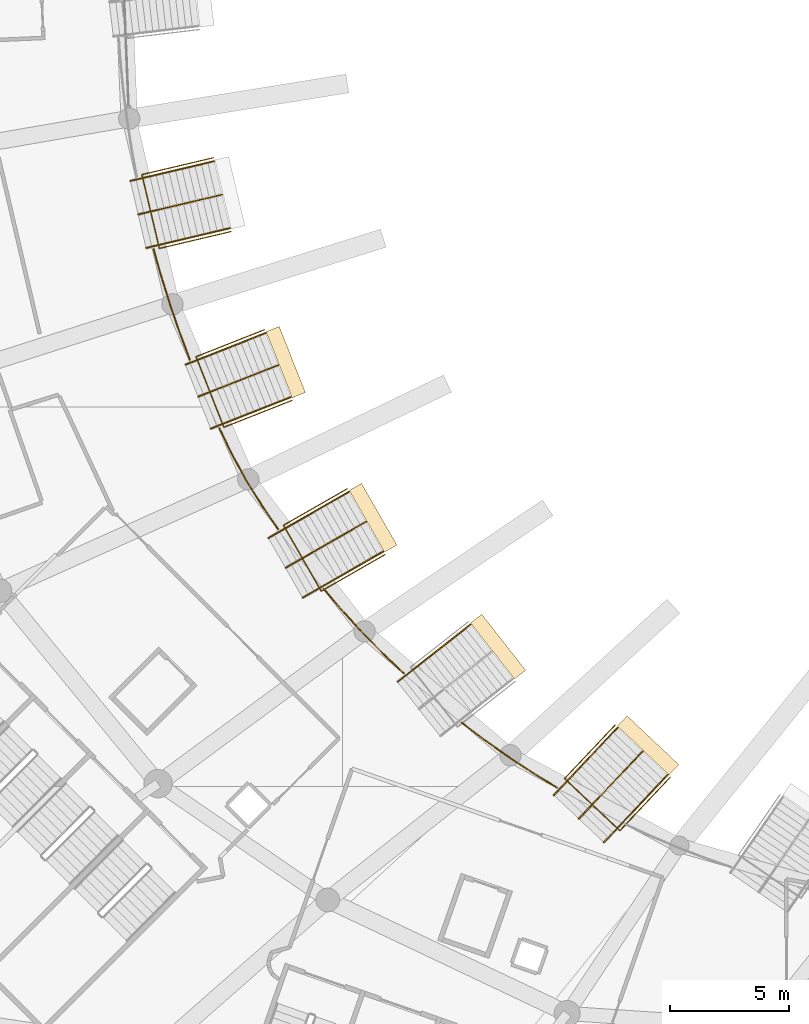
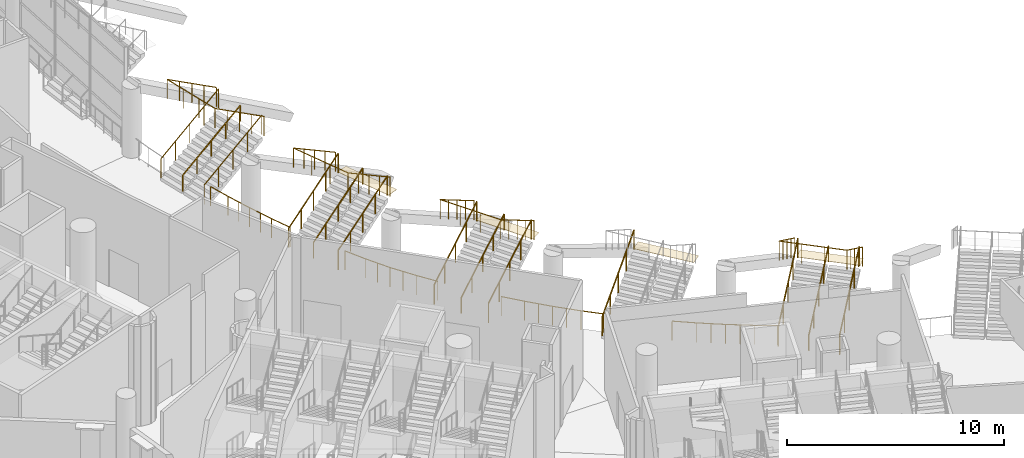
# One storey, part 114 of 173: 21 railings, 4 coverings.
"""IFC4 building model written with IfcOpenShell, lengths in metres."""

from ifc_helpers import new_model, si_unit, direction, frame, origin, origin_2d, place, context, subcontext, project, spatial, rectangle, circle, extrude, material, layer, layer_set, type_object, element, save


model = new_model("IFC4")

# Units and contexts
model_context = context("Model", 3, precision=1e-05, world=origin(), true_north=direction((0.0, 1.0)))
body_context = subcontext(model_context, "Body", "Model", "MODEL_VIEW")
ifc_project = project(units=[si_unit("LENGTHUNIT", "METRE"), si_unit("AREAUNIT", "SQUARE_METRE"), si_unit("VOLUMEUNIT", "CUBIC_METRE"), si_unit("PLANEANGLEUNIT", "RADIAN"), si_unit("MASSUNIT", "GRAM", prefix="KILO")], contexts=[model_context])

# Site, building, storey
site_placement = place(None, origin())
site = spatial("IfcSite", under=ifc_project, at=site_placement, CompositionType="ELEMENT")
building_placement = place(site_placement, origin())
building = spatial("IfcBuilding", under=site, at=building_placement, Name="Meseta Stadium", CompositionType="ELEMENT")
storey_placement = place(building_placement, frame((0.0, 0.0, 18.0)))
storey = spatial("IfcBuildingStorey", under=building, at=storey_placement, Name="L03", CompositionType="ELEMENT", Elevation=18.0)

# Railings
ifc_material_1 = material(Name="Steel S355", Category="steel")
railing_type_1 = type_object("IfcRailingType", Name="Plate edge guard 1100", PredefinedType="GUARDRAIL", material=ifc_material_1)
railing_1_placement = place(storey_placement, frame((-71.967041015625, -57.3486328125, 0.0)))
element("IfcRailing", 1, at=railing_1_placement, inside=storey, type_object=railing_type_1, Name="L03 inner edge guard 39", PredefinedType="GUARDRAIL", context=body_context, shape_type="SweptSolid", body=[
    extrude(circle(Radius=0.02490234375, at=origin_2d()), frame((0.0, 0.0, 1.0751953125), z_axis=(0.269727135959, -0.9629367955, 0.0), x_axis=(0.9629367955, 0.269727135959, 0.0)), (0.0, 0.0, 1.0), 1.117919921875),
    extrude(circle(Radius=0.02490234375, at=origin_2d()), frame((0.301513671875, -1.076416015625, 1.0751953125), z_axis=(0.298140588416, -0.954521969123, 0.0), x_axis=(0.954521969123, 0.298140588416, 0.0)), (0.0, 0.0, 1.0), 1.344482421875),
    extrude(circle(Radius=0.02490234375, at=origin_2d()), frame((0.702392578125, -2.35986328125, 1.0751953125), z_axis=(0.326287243455, -0.945270667459, 0.0), x_axis=(0.945270667459, 0.326287243455, 0.0)), (0.0, 0.0, 1.0), 1.344482421875),
    extrude(circle(Radius=0.02490234375, at=origin_2d()), frame((1.14111328125, -3.630859375, 1.0751953125), z_axis=(0.353866131531, -0.935296081974, 0.0), x_axis=(0.935296081974, 0.353866131531, 0.0)), (0.0, 0.0, 1.0), 1.111572265625),
    extrude(circle(Radius=0.02001953125, at=origin_2d()), origin(), (0.0, 0.0, 1.0), 1.050048828125),
    extrude(circle(Radius=0.02001953125, at=origin_2d()), frame((0.301513671875, -1.076416015625, 0.0)), (0.0, 0.0, 1.0), 1.050048828125),
    extrude(circle(Radius=0.02001953125, at=origin_2d()), frame((0.501953125, -1.71826171875, 0.0)), (0.0, 0.0, 1.0), 1.050048828125),
    extrude(circle(Radius=0.02001953125, at=origin_2d()), frame((0.702392578125, -2.35986328125, 0.0)), (0.0, 0.0, 1.0), 1.050048828125),
    extrude(circle(Radius=0.02001953125, at=origin_2d()), frame((0.921875, -2.995361328125, 0.0)), (0.0, 0.0, 1.0), 1.050048828125),
    extrude(circle(Radius=0.02001953125, at=origin_2d()), frame((1.14111328125, -3.630859375, 0.0)), (0.0, 0.0, 1.0), 1.050048828125),
    extrude(circle(Radius=0.02001953125, at=origin_2d()), frame((1.534423828125, -4.67041015625, 0.0)), (0.0, 0.0, 1.0), 1.050048828125),
])
railing_2_placement = place(storey_placement, frame((-69.19140625, -64.905029296875, 0.0)))
element("IfcRailing", 2, at=railing_2_placement, inside=storey, type_object=railing_type_1, Name="L03 inner edge guard 40", PredefinedType="GUARDRAIL", context=body_context, shape_type="SweptSolid", body=[
    extrude(circle(Radius=0.02490234375, at=origin_2d()), frame((0.0, 0.0, 1.0751953125), z_axis=(0.435753199463, -0.900066191542, 0.0), x_axis=(0.900066191542, 0.435753199463, 0.0)), (0.0, 0.0, 1.0), 1.12841796875),
    extrude(circle(Radius=0.02490234375, at=origin_2d()), frame((0.49169921875, -1.015625, 1.0751953125), z_axis=(0.474854769411, -0.880064172642, 0.0), x_axis=(0.880064172642, 0.474854769411, 0.0)), (0.0, 0.0, 1.0), 1.349609375),
    extrude(circle(Radius=0.02490234375, at=origin_2d()), frame((1.132568359375, -2.203369140625, 1.0751953125), z_axis=(0.534386629264, -0.845240161412, 0.0), x_axis=(0.845240161412, 0.534386629264, 0.0)), (0.0, 0.0, 1.0), 1.353271484375),
    extrude(circle(Radius=0.02490234375, at=origin_2d()), frame((1.855712890625, -3.34716796875, 1.0751953125), z_axis=(0.564349465999, -0.825535995718, 0.0), x_axis=(0.825535995718, 0.564349465999, 0.0)), (0.0, 0.0, 1.0), 1.099365234375),
    extrude(circle(Radius=0.02001953125, at=origin_2d()), origin(), (0.0, 0.0, 1.0), 1.050048828125),
    extrude(circle(Radius=0.02001953125, at=origin_2d()), frame((0.49169921875, -1.015625, 0.0)), (0.0, 0.0, 1.0), 1.050048828125),
    extrude(circle(Radius=0.02001953125, at=origin_2d()), frame((0.81201171875, -1.609375, 0.0)), (0.0, 0.0, 1.0), 1.050048828125),
    extrude(circle(Radius=0.02001953125, at=origin_2d()), frame((1.132568359375, -2.203369140625, 0.0)), (0.0, 0.0, 1.0), 1.050048828125),
    extrude(circle(Radius=0.02001953125, at=origin_2d()), frame((1.494140625, -2.775390625, 0.0)), (0.0, 0.0, 1.0), 1.050048828125),
    extrude(circle(Radius=0.02001953125, at=origin_2d()), frame((1.855712890625, -3.34716796875, 0.0)), (0.0, 0.0, 1.0), 1.050048828125),
    extrude(circle(Radius=0.02001953125, at=origin_2d()), frame((2.47607421875, -4.254638671875, 0.0)), (0.0, 0.0, 1.0), 1.050048828125),
])
railing_3_placement = place(storey_placement, frame((-64.79248046875, -71.677001953125, 0.0)))
element("IfcRailing", 3, at=railing_3_placement, inside=storey, type_object=railing_type_1, Name="L03 inner edge guard 41", PredefinedType="GUARDRAIL", context=body_context, shape_type="SweptSolid", body=[
    extrude(circle(Radius=0.02490234375, at=origin_2d()), frame((0.0, 0.0, 1.0751953125), z_axis=(0.649110992878, -0.760693709009, 0.0), x_axis=(0.760693709009, 0.649110992878, 0.0)), (0.0, 0.0, 1.0), 1.1376953125),
    extrude(circle(Radius=0.02490234375, at=origin_2d()), frame((0.738525390625, -0.865478515625, 1.0751953125), z_axis=(0.675732807899, -0.737146642351, 0.0), x_axis=(0.737146642351, 0.675732807899, 0.0)), (0.0, 0.0, 1.0), 1.3515625),
    extrude(circle(Radius=0.02490234375, at=origin_2d()), frame((1.65185546875, -1.86181640625, 1.0751953125), z_axis=(0.70166634323, -0.71250567912, 0.0), x_axis=(0.71250567912, 0.70166634323, 0.0)), (0.0, 0.0, 1.0), 1.351318359375),
    extrude(circle(Radius=0.02490234375, at=origin_2d()), frame((2.60009765625, -2.82470703125, 1.0751953125), z_axis=(0.726425386397, -0.68724534047, 0.0), x_axis=(0.68724534047, 0.726425386397, 0.0)), (0.0, 0.0, 1.0), 1.07177734375),
    extrude(circle(Radius=0.02001953125, at=origin_2d()), origin(), (0.0, 0.0, 1.0), 1.050048828125),
    extrude(circle(Radius=0.02001953125, at=origin_2d()), frame((0.738525390625, -0.865478515625, 0.0)), (0.0, 0.0, 1.0), 1.050048828125),
    extrude(circle(Radius=0.02001953125, at=origin_2d()), frame((1.1953125, -1.36376953125, 0.0)), (0.0, 0.0, 1.0), 1.050048828125),
    extrude(circle(Radius=0.02001953125, at=origin_2d()), frame((1.65185546875, -1.86181640625, 0.0)), (0.0, 0.0, 1.0), 1.050048828125),
    extrude(circle(Radius=0.02001953125, at=origin_2d()), frame((2.1259765625, -2.34326171875, 0.0)), (0.0, 0.0, 1.0), 1.050048828125),
    extrude(circle(Radius=0.02001953125, at=origin_2d()), frame((2.60009765625, -2.82470703125, 0.0)), (0.0, 0.0, 1.0), 1.050048828125),
    extrude(circle(Radius=0.02001953125, at=origin_2d()), frame((3.378662109375, -3.561279296875, 0.0)), (0.0, 0.0, 1.0), 1.050048828125),
])
railing_4_placement = place(storey_placement, frame((-58.97412109375, -77.314208984375, 0.0)))
element("IfcRailing", 4, at=railing_4_placement, inside=storey, type_object=railing_type_1, Name="L03 inner edge guard 42", PredefinedType="GUARDRAIL", context=body_context, shape_type="SweptSolid", body=[
    extrude(circle(Radius=0.02490234375, at=origin_2d()), frame((0.0, 0.0, 1.0751953125), z_axis=(0.795674728127, -0.605724134421, 0.0), x_axis=(0.605724134421, 0.795674728127, 0.0)), (0.0, 0.0, 1.0), 1.1298828125),
    extrude(circle(Radius=0.02490234375, at=origin_2d()), frame((0.89892578125, -0.684326171875, 1.0751953125), z_axis=(0.816797629008, -0.576924287274, 0.0), x_axis=(0.576924287274, 0.816797629008, 0.0)), (0.0, 0.0, 1.0), 1.3515625),
    extrude(circle(Radius=0.02490234375, at=origin_2d()), frame((2.0029296875, -1.464111328125, 1.0751953125), z_axis=(0.836743645867, -0.547594805583, 0.0), x_axis=(0.547594805583, 0.836743645867, 0.0)), (0.0, 0.0, 1.0), 1.351806640625),
    extrude(circle(Radius=0.02490234375, at=origin_2d()), frame((3.134033203125, -2.204345703125, 1.0751953125), z_axis=(0.855746499961, -0.517395330289, 0.0), x_axis=(0.517395330289, 0.855746499961, 0.0)), (0.0, 0.0, 1.0), 1.0390625),
    extrude(circle(Radius=0.02001953125, at=origin_2d()), origin(), (0.0, 0.0, 1.0), 1.050048828125),
    extrude(circle(Radius=0.02001953125, at=origin_2d()), frame((0.89892578125, -0.684326171875, 0.0)), (0.0, 0.0, 1.0), 1.050048828125),
    extrude(circle(Radius=0.02001953125, at=origin_2d()), frame((1.450927734375, -1.07421875, 0.0)), (0.0, 0.0, 1.0), 1.050048828125),
    extrude(circle(Radius=0.02001953125, at=origin_2d()), frame((2.0029296875, -1.464111328125, 0.0)), (0.0, 0.0, 1.0), 1.050048828125),
    extrude(circle(Radius=0.02001953125, at=origin_2d()), frame((2.568359375, -1.834228515625, 0.0)), (0.0, 0.0, 1.0), 1.050048828125),
    extrude(circle(Radius=0.02001953125, at=origin_2d()), frame((3.134033203125, -2.204345703125, 0.0)), (0.0, 0.0, 1.0), 1.050048828125),
    extrude(circle(Radius=0.02001953125, at=origin_2d()), frame((4.023193359375, -2.741943359375, 0.0)), (0.0, 0.0, 1.0), 1.050048828125),
])

# Coverings
ifc_material_2 = material(Name="Stone paving", Category="masonry")
ifc_layer = layer(ifc_material_2, 0.02001953125)
ifc_layer_set = layer_set([ifc_layer], Name="Vomitory exit threshold plate 20")
covering_type = type_object("IfcCoveringType", Name="Vomitory exit threshold plate 20", PredefinedType="FLOORING", material=ifc_layer_set)
for number, where, z_axis, x_axis, name in (
    (5, (-66.393310546875, -62.11376953125, 2.33056640625), (0.0, 0.0, 1.0), (0.930263326339, 0.366892550576, 0.0), "Vomitory V-upper-39 exit threshold"),
    (6, (-62.7119140625, -68.675537109375, 2.454833984375), (0.0, 0.0, 1.0), (0.867711670531, 0.497067859376, 0.0), "Vomitory V-upper-40 exit threshold"),
    (7, (-57.438720703125, -74.110107421875, 2.4541015625), (0.0, 0.0, 1.0), (0.786141751877, 0.618046232862, 0.0), "Vomitory V-upper-41 exit threshold"),
    (8, (-51.113525390625, -78.275146484375, 2.453125), (0.0, 0.0, 1.0), (0.686064733008, 0.72754050205, 0.0), "Vomitory V-upper-42 exit threshold"),
):
    element("IfcCovering", number, at=place(storey_placement, frame(where, z_axis=z_axis, x_axis=x_axis)), inside=storey, type_object=covering_type, Name=name, PredefinedType="FLOORING", context=body_context, shape_type="SweptSolid", body=[
        extrude(rectangle(XDim=0.60009765625, YDim=3.0, at=origin_2d()), origin(), (0.0, 0.0, 1.0), 0.02001953125),
    ])

# Railings
ifc_material_3 = material(Name="Steel S355", Category="steel")
railing_type_2 = type_object("IfcRailingType", Name="Vomitory slot guard 1100", PredefinedType="GUARDRAIL", material=ifc_material_3)
railing_5_placement = place(storey_placement, frame((-68.7041015625, -56.609375, 2.3505859375)))
element("IfcRailing", 9, at=railing_5_placement, inside=storey, type_object=railing_type_2, Name="Vomitory V-upper-38 slot guard", PredefinedType="GUARDRAIL", context=body_context, shape_type="SweptSolid", body=[
    extrude(circle(Radius=0.02490234375, at=origin_2d()), frame((0.0, 0.0, 1.0751953125), z_axis=(-0.825329132428, -0.194745084169, 0.530005825777), x_axis=(0.22965384671, -0.973272372305, 0.0)), (0.0, 0.0, 1.0), 3.655517578125),
    extrude(circle(Radius=0.02490234375, at=origin_2d()), frame((-3.01708984375, -0.7119140625, 3.0126953125), z_axis=(-0.229732459273, 0.973253819492, 0.0), x_axis=(-0.973253819492, -0.229732459273, 0.0)), (0.0, 0.0, 1.0), 3.199951171875),
    extrude(circle(Radius=0.02490234375, at=origin_2d()), frame((-3.752197265625, 2.40234375, 3.0126953125), z_axis=(0.825318396523, 0.194809335059, -0.529998931446), x_axis=(-0.229728447463, 0.973254766454, 0.0)), (0.0, 0.0, 1.0), 3.65576171875),
    extrude(circle(Radius=0.02001953125, at=origin_2d()), origin(), (0.0, 0.0, 1.0), 1.050048828125),
    extrude(circle(Radius=0.02001953125, at=origin_2d()), frame((-0.75439453125, -0.177978515625, 0.484375)), (0.0, 0.0, 1.0), 1.050048828125),
    extrude(circle(Radius=0.02001953125, at=origin_2d()), frame((-1.508544921875, -0.35595703125, 0.96875)), (0.0, 0.0, 1.0), 1.050048828125),
    extrude(circle(Radius=0.02001953125, at=origin_2d()), frame((-2.2626953125, -0.533935546875, 1.453125)), (0.0, 0.0, 1.0), 1.050048828125),
    extrude(circle(Radius=0.02001953125, at=origin_2d()), frame((-3.01708984375, -0.7119140625, 1.9375)), (0.0, 0.0, 1.0), 1.050048828125),
    extrude(circle(Radius=0.02001953125, at=origin_2d()), frame((-3.26220703125, 0.326171875, 1.9375)), (0.0, 0.0, 1.0), 1.050048828125),
    extrude(circle(Radius=0.02001953125, at=origin_2d()), frame((-3.507080078125, 1.3642578125, 1.9375)), (0.0, 0.0, 1.0), 1.050048828125),
    extrude(circle(Radius=0.02001953125, at=origin_2d()), frame((-3.752197265625, 2.40234375, 1.9375)), (0.0, 0.0, 1.0), 1.050048828125),
    extrude(circle(Radius=0.02001953125, at=origin_2d()), frame((-2.998046875, 2.580322265625, 1.453125)), (0.0, 0.0, 1.0), 1.050048828125),
    extrude(circle(Radius=0.02001953125, at=origin_2d()), frame((-2.24365234375, 2.75830078125, 0.96875)), (0.0, 0.0, 1.0), 1.050048828125),
    extrude(circle(Radius=0.02001953125, at=origin_2d()), frame((-1.4892578125, 2.9365234375, 0.484375)), (0.0, 0.0, 1.0), 1.050048828125),
    extrude(circle(Radius=0.02001953125, at=origin_2d()), frame((-0.735107421875, 3.114501953125, 0.0)), (0.0, 0.0, 1.0), 1.050048828125),
])
railing_6_placement = place(storey_placement, frame((-66.116943359375, -63.724609375, 2.3505859375)))
element("IfcRailing", 10, at=railing_6_placement, inside=storey, type_object=railing_type_2, Name="Vomitory V-upper-39 slot guard", PredefinedType="GUARDRAIL", context=body_context, shape_type="SweptSolid", body=[
    extrude(circle(Radius=0.02490234375, at=origin_2d()), frame((0.0, 0.0, 1.0751953125), z_axis=(-0.788853250074, -0.311146909253, 0.529998255383), x_axis=(0.366919073757, -0.930252865254, 0.0)), (0.0, 0.0, 1.0), 3.65576171875),
    extrude(circle(Radius=0.02490234375, at=origin_2d()), frame((-2.8837890625, -1.137451171875, 3.0126953125), z_axis=(-0.366900745738, 0.930260094155, 0.0), x_axis=(-0.930260094155, -0.366900745738, 0.0)), (0.0, 0.0, 1.0), 3.199951171875),
    extrude(circle(Radius=0.02490234375, at=origin_2d()), frame((-4.057861328125, 1.83935546875, 3.0126953125), z_axis=(0.788853250074, 0.311146909253, -0.529998255383), x_axis=(-0.366919073757, 0.930252865254, 0.0)), (0.0, 0.0, 1.0), 3.65576171875),
    extrude(circle(Radius=0.02001953125, at=origin_2d()), origin(), (0.0, 0.0, 1.0), 1.050048828125),
    extrude(circle(Radius=0.02001953125, at=origin_2d()), frame((-0.720947265625, -0.284423828125, 0.484375)), (0.0, 0.0, 1.0), 1.050048828125),
    extrude(circle(Radius=0.02001953125, at=origin_2d()), frame((-1.44189453125, -0.56884765625, 0.96875)), (0.0, 0.0, 1.0), 1.050048828125),
    extrude(circle(Radius=0.02001953125, at=origin_2d()), frame((-2.162841796875, -0.85302734375, 1.453125)), (0.0, 0.0, 1.0), 1.050048828125),
    extrude(circle(Radius=0.02001953125, at=origin_2d()), frame((-2.8837890625, -1.137451171875, 1.9375)), (0.0, 0.0, 1.0), 1.050048828125),
    extrude(circle(Radius=0.02001953125, at=origin_2d()), frame((-3.275146484375, -0.145263671875, 1.9375)), (0.0, 0.0, 1.0), 1.050048828125),
    extrude(circle(Radius=0.02001953125, at=origin_2d()), frame((-3.66650390625, 0.84716796875, 1.9375)), (0.0, 0.0, 1.0), 1.050048828125),
    extrude(circle(Radius=0.02001953125, at=origin_2d()), frame((-4.057861328125, 1.83935546875, 1.9375)), (0.0, 0.0, 1.0), 1.050048828125),
    extrude(circle(Radius=0.02001953125, at=origin_2d()), frame((-3.3369140625, 2.123779296875, 1.453125)), (0.0, 0.0, 1.0), 1.050048828125),
    extrude(circle(Radius=0.02001953125, at=origin_2d()), frame((-2.615966796875, 2.408203125, 0.96875)), (0.0, 0.0, 1.0), 1.050048828125),
    extrude(circle(Radius=0.02001953125, at=origin_2d()), frame((-1.89501953125, 2.6923828125, 0.484375)), (0.0, 0.0, 1.0), 1.050048828125),
    extrude(circle(Radius=0.02001953125, at=origin_2d()), frame((-1.174072265625, 2.976806640625, 0.0)), (0.0, 0.0, 1.0), 1.050048828125),
])
railing_7_placement = place(storey_placement, frame((-62.206298828125, -70.22998046875, 2.474853515625)))
element("IfcRailing", 11, at=railing_7_placement, inside=storey, type_object=railing_type_2, Name="Vomitory V-upper-40 slot guard", PredefinedType="GUARDRAIL", context=body_context, shape_type="SweptSolid", body=[
    extrude(circle(Radius=0.02490234375, at=origin_2d()), frame((0.0, 0.0, 1.0751953125), z_axis=(-0.735834226507, -0.421478471908, 0.530003668684), x_axis=(0.49702922619, -0.867733800375, 0.0)), (0.0, 0.0, 1.0), 3.655517578125),
    extrude(circle(Radius=0.02490234375, at=origin_2d()), frame((-2.68994140625, -1.540771484375, 3.0126953125), z_axis=(-0.497124557531, 0.867679188583, 0.0), x_axis=(-0.867679188583, -0.497124557531, 0.0)), (0.0, 0.0, 1.0), 3.199951171875),
    extrude(circle(Radius=0.02490234375, at=origin_2d()), frame((-4.28076171875, 1.23583984375, 3.0126953125), z_axis=(0.735834226507, 0.421478471908, -0.530003668684), x_axis=(-0.49702922619, 0.867733800375, 0.0)), (0.0, 0.0, 1.0), 3.655517578125),
    extrude(circle(Radius=0.02001953125, at=origin_2d()), origin(), (0.0, 0.0, 1.0), 1.050048828125),
    extrude(circle(Radius=0.02001953125, at=origin_2d()), frame((-0.67236328125, -0.38525390625, 0.484375)), (0.0, 0.0, 1.0), 1.050048828125),
    extrude(circle(Radius=0.02001953125, at=origin_2d()), frame((-1.344970703125, -0.7705078125, 0.96875)), (0.0, 0.0, 1.0), 1.050048828125),
    extrude(circle(Radius=0.02001953125, at=origin_2d()), frame((-2.017578125, -1.155517578125, 1.453125)), (0.0, 0.0, 1.0), 1.050048828125),
    extrude(circle(Radius=0.02001953125, at=origin_2d()), frame((-2.68994140625, -1.540771484375, 1.9375)), (0.0, 0.0, 1.0), 1.050048828125),
    extrude(circle(Radius=0.02001953125, at=origin_2d()), frame((-3.22021484375, -0.615234375, 1.9375)), (0.0, 0.0, 1.0), 1.050048828125),
    extrude(circle(Radius=0.02001953125, at=origin_2d()), frame((-3.75048828125, 0.310302734375, 1.9375)), (0.0, 0.0, 1.0), 1.050048828125),
    extrude(circle(Radius=0.02001953125, at=origin_2d()), frame((-4.28076171875, 1.23583984375, 1.9375)), (0.0, 0.0, 1.0), 1.050048828125),
    extrude(circle(Radius=0.02001953125, at=origin_2d()), frame((-3.6083984375, 1.62109375, 1.453125)), (0.0, 0.0, 1.0), 1.050048828125),
    extrude(circle(Radius=0.02001953125, at=origin_2d()), frame((-2.935791015625, 2.00634765625, 0.96875)), (0.0, 0.0, 1.0), 1.050048828125),
    extrude(circle(Radius=0.02001953125, at=origin_2d()), frame((-2.26318359375, 2.391357421875, 0.484375)), (0.0, 0.0, 1.0), 1.050048828125),
    extrude(circle(Radius=0.02001953125, at=origin_2d()), frame((-1.5908203125, 2.776611328125, 0.0)), (0.0, 0.0, 1.0), 1.050048828125),
])
railing_8_placement = place(storey_placement, frame((-50.1787109375, -79.61572265625, 2.47314453125)))
element("IfcRailing", 12, at=railing_8_placement, inside=storey, type_object=railing_type_2, Name="Vomitory V-upper-42 slot guard", PredefinedType="GUARDRAIL", context=body_context, shape_type="SweptSolid", body=[
    extrude(circle(Radius=0.02490234375, at=origin_2d()), frame((0.0, 0.0, 1.0751953125), z_axis=(-0.581765575966, -0.616961358141, 0.530007072766), x_axis=(0.727554587562, -0.686049795654, 0.0)), (0.0, 0.0, 1.0), 3.655517578125),
    extrude(circle(Radius=0.02490234375, at=origin_2d()), frame((-2.126708984375, -2.25537109375, 3.0126953125), z_axis=(-0.727554587562, 0.686049795654, 0.0), x_axis=(-0.686049795654, -0.727554587562, 0.0)), (0.0, 0.0, 1.0), 3.199951171875),
    extrude(circle(Radius=0.02490234375, at=origin_2d()), frame((-4.454833984375, -0.06005859375, 3.0126953125), z_axis=(0.581765575966, 0.616961358141, -0.530007072766), x_axis=(-0.727554587562, 0.686049795654, 0.0)), (0.0, 0.0, 1.0), 3.655517578125),
    extrude(circle(Radius=0.02001953125, at=origin_2d()), origin(), (0.0, 0.0, 1.0), 1.050048828125),
    extrude(circle(Radius=0.02001953125, at=origin_2d()), frame((-0.53173828125, -0.56396484375, 0.484375)), (0.0, 0.0, 1.0), 1.050048828125),
    extrude(circle(Radius=0.02001953125, at=origin_2d()), frame((-1.0634765625, -1.127685546875, 0.96875)), (0.0, 0.0, 1.0), 1.050048828125),
    extrude(circle(Radius=0.02001953125, at=origin_2d()), frame((-1.594970703125, -1.69140625, 1.453125)), (0.0, 0.0, 1.0), 1.050048828125),
    extrude(circle(Radius=0.02001953125, at=origin_2d()), frame((-2.126708984375, -2.25537109375, 1.9375)), (0.0, 0.0, 1.0), 1.050048828125),
    extrude(circle(Radius=0.02001953125, at=origin_2d()), frame((-2.90283203125, -1.523681640625, 1.9375)), (0.0, 0.0, 1.0), 1.050048828125),
    extrude(circle(Radius=0.02001953125, at=origin_2d()), frame((-3.6787109375, -0.791748046875, 1.9375)), (0.0, 0.0, 1.0), 1.050048828125),
    extrude(circle(Radius=0.02001953125, at=origin_2d()), frame((-4.454833984375, -0.06005859375, 1.9375)), (0.0, 0.0, 1.0), 1.050048828125),
    extrude(circle(Radius=0.02001953125, at=origin_2d()), frame((-3.923095703125, 0.50390625, 1.453125)), (0.0, 0.0, 1.0), 1.050048828125),
    extrude(circle(Radius=0.02001953125, at=origin_2d()), frame((-3.3916015625, 1.067626953125, 0.96875)), (0.0, 0.0, 1.0), 1.050048828125),
    extrude(circle(Radius=0.02001953125, at=origin_2d()), frame((-2.85986328125, 1.63134765625, 0.484375)), (0.0, 0.0, 1.0), 1.050048828125),
    extrude(circle(Radius=0.02001953125, at=origin_2d()), frame((-2.328125, 2.1953125, 0.0)), (0.0, 0.0, 1.0), 1.050048828125),
])
ifc_material_4 = material(Name="Steel S355", Category="steel")
railing_type_3 = type_object("IfcRailingType", Name="Vomitory stair guard 1100", PredefinedType="GUARDRAIL", material=ifc_material_4)
for number, where, name in (
    (13, (-72.947509765625, -54.47705078125, 0.16796875), "Vomitory V-upper-38 guard left"),
    (14, (-72.28125, -57.299560546875, 0.16796875), "Vomitory V-upper-38 guard right"),
):
    element("IfcRailing", number, at=place(storey_placement, frame(where)), inside=storey, type_object=railing_type_3, Name=name, PredefinedType="GUARDRAIL", context=body_context, shape_type="SweptSolid", body=[
        extrude(circle(Radius=0.02490234375, at=origin_2d()), frame((0.0, 0.0, 1.0751953125), z_axis=(0.834705619611, 0.197013765224, 0.514249068936), x_axis=(-0.229715919179, 0.973257723563, 0.0)), (0.0, 0.0, 1.0), 4.244384765625),
        extrude(circle(Radius=0.02001953125, at=origin_2d()), origin(), (0.0, 0.0, 1.0), 1.050048828125),
        extrude(circle(Radius=0.02001953125, at=origin_2d()), frame((0.8857421875, 0.208984375, 0.545654296875)), (0.0, 0.0, 1.0), 1.050048828125),
        extrude(circle(Radius=0.02001953125, at=origin_2d()), frame((1.771484375, 0.41796875, 1.09130859375)), (0.0, 0.0, 1.0), 1.050048828125),
        extrude(circle(Radius=0.02001953125, at=origin_2d()), frame((2.656982421875, 0.627197265625, 1.636962890625)), (0.0, 0.0, 1.0), 1.050048828125),
        extrude(circle(Radius=0.02001953125, at=origin_2d()), frame((3.542724609375, 0.836181640625, 2.1826171875)), (0.0, 0.0, 1.0), 1.050048828125),
    ])
for number, where, name in (
    (15, (-70.6220703125, -62.222900390625, 0.16796875), "Vomitory V-upper-39 guard left"),
    (16, (-69.55810546875, -64.920654296875, 0.16796875), "Vomitory V-upper-39 guard right"),
):
    element("IfcRailing", number, at=place(storey_placement, frame(where)), inside=storey, type_object=railing_type_3, Name=name, PredefinedType="GUARDRAIL", context=body_context, shape_type="SweptSolid", body=[
        extrude(circle(Radius=0.02490234375, at=origin_2d()), frame((0.0, 0.0, 1.0751953125), z_axis=(0.797836414941, 0.314647814688, 0.514250724555), x_axis=(-0.366876373084, 0.930269706522, 0.0)), (0.0, 0.0, 1.0), 4.244384765625),
        extrude(circle(Radius=0.02001953125, at=origin_2d()), origin(), (0.0, 0.0, 1.0), 1.050048828125),
        extrude(circle(Radius=0.02001953125, at=origin_2d()), frame((0.8466796875, 0.333984375, 0.545654296875)), (0.0, 0.0, 1.0), 1.050048828125),
        extrude(circle(Radius=0.02001953125, at=origin_2d()), frame((1.693115234375, 0.667724609375, 1.09130859375)), (0.0, 0.0, 1.0), 1.050048828125),
        extrude(circle(Radius=0.02001953125, at=origin_2d()), frame((2.53955078125, 1.00146484375, 1.636962890625)), (0.0, 0.0, 1.0), 1.050048828125),
        extrude(circle(Radius=0.02001953125, at=origin_2d()), frame((3.38623046875, 1.33544921875, 2.1826171875)), (0.0, 0.0, 1.0), 1.050048828125),
    ])
for number, where, name in (
    (17, (-67.123779296875, -69.531982421875, 0.1650390625), "Vomitory V-upper-40 guard left"),
    (18, (-65.682373046875, -72.04833984375, 0.1650390625), "Vomitory V-upper-40 guard right"),
):
    element("IfcRailing", number, at=place(storey_placement, frame(where)), inside=storey, type_object=railing_type_3, Name=name, PredefinedType="GUARDRAIL", context=body_context, shape_type="SweptSolid", body=[
        extrude(circle(Radius=0.02490234375, at=origin_2d()), frame((0.0, 0.0, 1.0751953125), z_axis=(0.747577774128, 0.428252814766, 0.50766819703), x_axis=(-0.497070962808, 0.867709892725, 0.0)), (0.0, 0.0, 1.0), 4.5498046875),
        extrude(circle(Radius=0.02001953125, at=origin_2d()), origin(), (0.0, 0.0, 1.0), 1.050048828125),
        extrude(circle(Radius=0.02001953125, at=origin_2d()), frame((0.850341796875, 0.487060546875, 0.577392578125)), (0.0, 0.0, 1.0), 1.050048828125),
        extrude(circle(Radius=0.02001953125, at=origin_2d()), frame((1.70068359375, 0.97412109375, 1.15478515625)), (0.0, 0.0, 1.0), 1.050048828125),
        extrude(circle(Radius=0.02001953125, at=origin_2d()), frame((2.551025390625, 1.46142578125, 1.732421875)), (0.0, 0.0, 1.0), 1.050048828125),
        extrude(circle(Radius=0.02001953125, at=origin_2d()), frame((3.4013671875, 1.948486328125, 2.309814453125)), (0.0, 0.0, 1.0), 1.050048828125),
    ])
railing_9_placement = place(storey_placement, frame((-61.67919921875, -75.599365234375, 0.164794921875)))
element("IfcRailing", 19, at=railing_9_placement, inside=storey, type_object=railing_type_3, Name="Vomitory V-upper-41 guard left", PredefinedType="GUARDRAIL", context=body_context, shape_type="SweptSolid", body=[
    extrude(circle(Radius=0.02490234375, at=origin_2d()), frame((0.0, 0.0, 1.0751953125), z_axis=(0.677346786361, 0.532519171975, 0.507567396988), x_axis=(-0.618049814161, 0.786138936331, 0.0)), (0.0, 0.0, 1.0), 4.5498046875),
    extrude(circle(Radius=0.02001953125, at=origin_2d()), origin(), (0.0, 0.0, 1.0), 1.050048828125),
    extrude(circle(Radius=0.02001953125, at=origin_2d()), frame((0.7705078125, 0.605712890625, 0.577392578125)), (0.0, 0.0, 1.0), 1.050048828125),
    extrude(circle(Radius=0.02001953125, at=origin_2d()), frame((1.541015625, 1.21142578125, 1.15478515625)), (0.0, 0.0, 1.0), 1.050048828125),
    extrude(circle(Radius=0.02001953125, at=origin_2d()), frame((2.311279296875, 1.817138671875, 1.73193359375)), (0.0, 0.0, 1.0), 1.050048828125),
    extrude(circle(Radius=0.02001953125, at=origin_2d()), frame((3.081787109375, 2.4228515625, 2.309326171875)), (0.0, 0.0, 1.0), 1.050048828125),
])
for number, where, name in (
    (20, (-55.087158203125, -80.375244140625, 0.164794921875), "Vomitory V-upper-42 guard left"),
    (21, (-52.977294921875, -82.364990234375, 0.164794921875), "Vomitory V-upper-42 guard right"),
):
    element("IfcRailing", number, at=place(storey_placement, frame(where)), inside=storey, type_object=railing_type_3, Name=name, PredefinedType="GUARDRAIL", context=body_context, shape_type="SweptSolid", body=[
        extrude(circle(Radius=0.02490234375, at=origin_2d()), frame((0.0, 0.0, 1.0751953125), z_axis=(0.591183845792, 0.626925352808, 0.507411334601), x_axis=(-0.727541443777, 0.686063734348, 0.0)), (0.0, 0.0, 1.0), 4.54931640625),
        extrude(circle(Radius=0.02001953125, at=origin_2d()), origin(), (0.0, 0.0, 1.0), 1.050048828125),
        extrude(circle(Radius=0.02001953125, at=origin_2d()), frame((0.67236328125, 0.712890625, 0.5771484375)), (0.0, 0.0, 1.0), 1.050048828125),
        extrude(circle(Radius=0.02001953125, at=origin_2d()), frame((1.3447265625, 1.426025390625, 1.154296875)), (0.0, 0.0, 1.0), 1.050048828125),
        extrude(circle(Radius=0.02001953125, at=origin_2d()), frame((2.01708984375, 2.13916015625, 1.731201171875)), (0.0, 0.0, 1.0), 1.050048828125),
        extrude(circle(Radius=0.02001953125, at=origin_2d()), frame((2.689453125, 2.85205078125, 2.308349609375)), (0.0, 0.0, 1.0), 1.050048828125),
    ])
ifc_material_5 = material(Name="Steel S355", Category="steel")
railing_type_4 = type_object("IfcRailingType", Name="Vomitory stair handrail 900", PredefinedType="HANDRAIL", material=ifc_material_5)
railing_10_placement = place(storey_placement, frame((-72.6142578125, -55.88818359375, 0.16796875)))
element("IfcRailing", 22, at=railing_10_placement, inside=storey, type_object=railing_type_4, Name="Vomitory V-upper-38 central handrail", PredefinedType="HANDRAIL", context=body_context, shape_type="SweptSolid", body=[
    extrude(circle(Radius=0.02490234375, at=origin_2d()), frame((0.0, 0.0, 0.875), z_axis=(0.834688173777, 0.19702322503, 0.5142737611), x_axis=(-0.229730915234, 0.973254183955, 0.0)), (0.0, 0.0, 1.0), 4.244140625),
    extrude(circle(Radius=0.02001953125, at=origin_2d()), origin(), (0.0, 0.0, 1.0), 0.849853515625),
    extrude(circle(Radius=0.02001953125, at=origin_2d()), frame((0.8857421875, 0.208984375, 0.545654296875)), (0.0, 0.0, 1.0), 0.849853515625),
    extrude(circle(Radius=0.02001953125, at=origin_2d()), frame((1.771240234375, 0.41796875, 1.09130859375)), (0.0, 0.0, 1.0), 0.849853515625),
    extrude(circle(Radius=0.02001953125, at=origin_2d()), frame((2.65673828125, 0.627197265625, 1.636962890625)), (0.0, 0.0, 1.0), 0.849853515625),
    extrude(circle(Radius=0.02001953125, at=origin_2d()), frame((3.54248046875, 0.836181640625, 2.1826171875)), (0.0, 0.0, 1.0), 0.849853515625),
])
railing_11_placement = place(storey_placement, frame((-70.090087890625, -63.57177734375, 0.16796875)))
element("IfcRailing", 23, at=railing_11_placement, inside=storey, type_object=railing_type_4, Name="Vomitory V-upper-39 central handrail", PredefinedType="HANDRAIL", context=body_context, shape_type="SweptSolid", body=[
    extrude(circle(Radius=0.02490234375, at=origin_2d()), frame((0.0, 0.0, 0.875), z_axis=(0.797821973722, 0.314699640824, 0.514241416372), x_axis=(-0.366934413985, 0.930246814471, 0.0)), (0.0, 0.0, 1.0), 4.244384765625),
    extrude(circle(Radius=0.02001953125, at=origin_2d()), origin(), (0.0, 0.0, 1.0), 0.849853515625),
    extrude(circle(Radius=0.02001953125, at=origin_2d()), frame((0.8466796875, 0.333984375, 0.545654296875)), (0.0, 0.0, 1.0), 0.849853515625),
    extrude(circle(Radius=0.02001953125, at=origin_2d()), frame((1.693115234375, 0.66796875, 1.09130859375)), (0.0, 0.0, 1.0), 0.849853515625),
    extrude(circle(Radius=0.02001953125, at=origin_2d()), frame((2.53955078125, 1.001708984375, 1.636962890625)), (0.0, 0.0, 1.0), 0.849853515625),
    extrude(circle(Radius=0.02001953125, at=origin_2d()), frame((3.38623046875, 1.335693359375, 2.1826171875)), (0.0, 0.0, 1.0), 0.849853515625),
])
railing_12_placement = place(storey_placement, frame((-66.4033203125, -70.7900390625, 0.1650390625)))
element("IfcRailing", 24, at=railing_12_placement, inside=storey, type_object=railing_type_4, Name="Vomitory V-upper-40 central handrail", PredefinedType="HANDRAIL", context=body_context, shape_type="SweptSolid", body=[
    extrude(circle(Radius=0.02490234375, at=origin_2d()), frame((0.0, 0.0, 0.875), z_axis=(0.747601443181, 0.428235636118, 0.507647832767), x_axis=(-0.497044101051, 0.867725280034, 0.0)), (0.0, 0.0, 1.0), 4.550048828125),
    extrude(circle(Radius=0.02001953125, at=origin_2d()), origin(), (0.0, 0.0, 1.0), 0.849853515625),
    extrude(circle(Radius=0.02001953125, at=origin_2d()), frame((0.850341796875, 0.487060546875, 0.577392578125)), (0.0, 0.0, 1.0), 0.849853515625),
    extrude(circle(Radius=0.02001953125, at=origin_2d()), frame((1.70068359375, 0.97412109375, 1.15478515625)), (0.0, 0.0, 1.0), 0.849853515625),
    extrude(circle(Radius=0.02001953125, at=origin_2d()), frame((2.55126953125, 1.46142578125, 1.732421875)), (0.0, 0.0, 1.0), 0.849853515625),
    extrude(circle(Radius=0.02001953125, at=origin_2d()), frame((3.401611328125, 1.948486328125, 2.309814453125)), (0.0, 0.0, 1.0), 0.849853515625),
])
railing_13_placement = place(storey_placement, frame((-54.0322265625, -81.3701171875, 0.164794921875)))
element("IfcRailing", 25, at=railing_13_placement, inside=storey, type_object=railing_type_4, Name="Vomitory V-upper-42 central handrail", PredefinedType="HANDRAIL", context=body_context, shape_type="SweptSolid", body=[
    extrude(circle(Radius=0.02490234375, at=origin_2d()), frame((0.0, 0.0, 0.875), z_axis=(0.591183845792, 0.626925352808, 0.507411334601), x_axis=(-0.727541443777, 0.686063734348, 0.0)), (0.0, 0.0, 1.0), 4.54931640625),
    extrude(circle(Radius=0.02001953125, at=origin_2d()), origin(), (0.0, 0.0, 1.0), 0.849853515625),
    extrude(circle(Radius=0.02001953125, at=origin_2d()), frame((0.67236328125, 0.712890625, 0.5771484375)), (0.0, 0.0, 1.0), 0.849853515625),
    extrude(circle(Radius=0.02001953125, at=origin_2d()), frame((1.3447265625, 1.426025390625, 1.154296875)), (0.0, 0.0, 1.0), 0.849853515625),
    extrude(circle(Radius=0.02001953125, at=origin_2d()), frame((2.01708984375, 2.13916015625, 1.731201171875)), (0.0, 0.0, 1.0), 0.849853515625),
    extrude(circle(Radius=0.02001953125, at=origin_2d()), frame((2.689453125, 2.85205078125, 2.308349609375)), (0.0, 0.0, 1.0), 0.849853515625),
])

save(model, "model.ifc")
